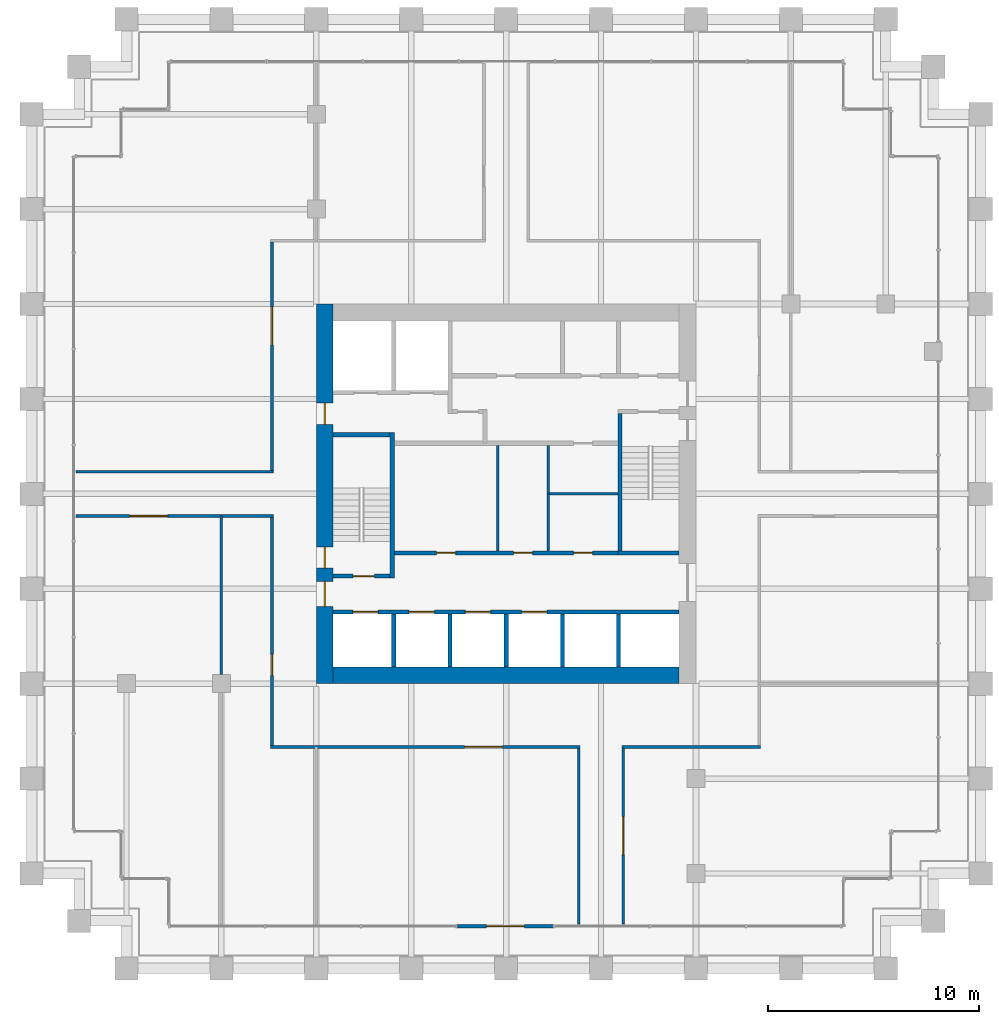
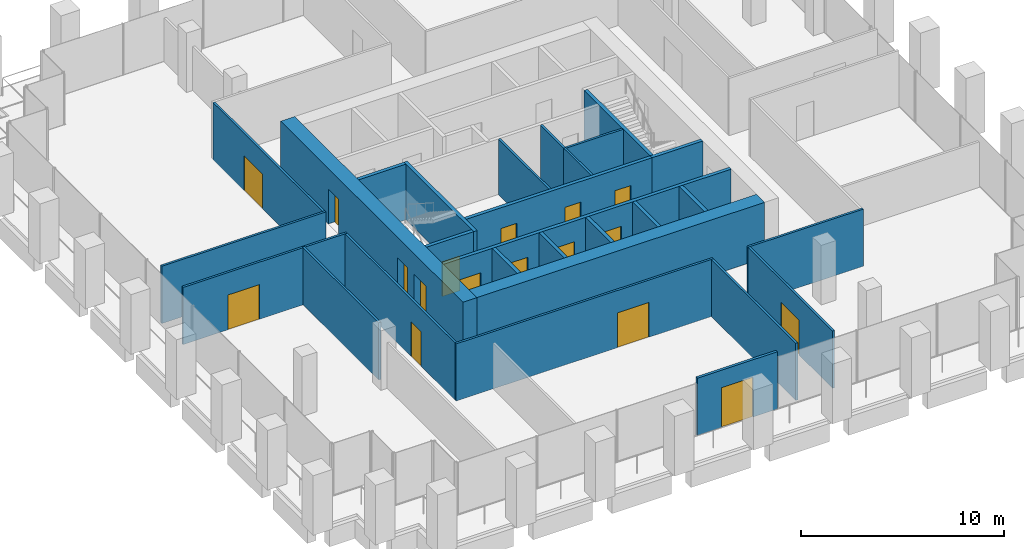
# One storey, part 50 of 54: 28 walls, 17 doors, 17 openings.
"""IFC4 building model written with IfcOpenShell, lengths in metres."""

import ifcopenshell
import ifcopenshell.guid

model = None  # the IFC model being written
_history = None  # IfcOwnerHistory: only IFC2X3 demands one
_inside = {}  # id of a spatial element -> (the spatial element, [elements in it])
_under = {}  # id of a project, library or spatial element -> (it, [spatial elements below it])
_declared = {}  # id of a project -> (the project, [libraries it declares])
_typed = {}  # id of a type object -> (the type object, [elements of that type])
_made_of = {}  # id of a material, layer set ... -> (it, [elements and type objects made of it])


def new_model(schema):
    """Start an empty IFC model of exactly this schema.

    Asked for "IFC4X3", IfcOpenShell would pick the latest addendum, in which some entities
    have other attributes; the version numbers below select the first issue.
    IFC2X3 requires an IfcOwnerHistory on every rooted entity: one is made here for all.
    """
    global model, _history
    if schema == "IFC4X3":
        model = ifcopenshell.file(schema_version=(4, 3, 0, 0))
    else:
        model = ifcopenshell.file(schema=schema)
    _inside.clear()
    _under.clear()
    _declared.clear()
    _typed.clear()
    _made_of.clear()
    _history = None
    if model.schema == "IFC2X3":
        org = make("IfcOrganization", Name="unknown")
        user = make(
            "IfcPersonAndOrganization",
            ThePerson=make("IfcPerson", FamilyName="unknown"),
            TheOrganization=org,
        )
        app = make(
            "IfcApplication",
            ApplicationDeveloper=org,
            Version="unknown",
            ApplicationFullName="unknown",
            ApplicationIdentifier="unknown",
        )
        _history = make(
            "IfcOwnerHistory",
            OwningUser=user,
            OwningApplication=app,
            ChangeAction="ADDED",
            CreationDate=0,
        )
    return model


def make(cls, **values):
    """One entity of the class cls with the attributes given. An attribute that is None is left unset."""
    return model.create_entity(
        cls, **{name: value for name, value in values.items() if value is not None}
    )


def rooted(cls, **values):
    """An entity with a GlobalId (a new one), such as an element, a storey or a relation."""
    return make(cls, GlobalId=ifcopenshell.guid.new(), OwnerHistory=_history, **values)


def si_unit(unit_type, name, prefix=None):
    """IfcSIUnit, for example si_unit("LENGTHUNIT", "METRE", prefix="MILLI")."""
    return make("IfcSIUnit", UnitType=unit_type, Prefix=prefix, Name=name)


def assignment(units):
    """IfcUnitAssignment: the units of a project."""
    return None if units is None else make("IfcUnitAssignment", Units=units)


def point(xyz):
    """IfcCartesianPoint."""
    return None if xyz is None else make("IfcCartesianPoint", Coordinates=xyz)


def direction(xyz):
    """IfcDirection."""
    return None if xyz is None else make("IfcDirection", DirectionRatios=xyz)


def frame(location, z_axis=None, x_axis=None):
    """IfcAxis2Placement3D, a coordinate frame: its origin and axes. An axis left out is left unset."""
    return make(
        "IfcAxis2Placement3D",
        Location=point(location),
        Axis=direction(z_axis),
        RefDirection=direction(x_axis),
    )


def frame_2d(location, x_axis=None):
    """IfcAxis2Placement2D, a coordinate frame in the plane: its origin and x axis."""
    return make(
        "IfcAxis2Placement2D", Location=point(location), RefDirection=direction(x_axis)
    )


def origin():
    """The frame at (0, 0, 0) with its axes left unset."""
    return frame((0.0, 0.0, 0.0))


def place(relative_to, where):
    """IfcLocalPlacement: puts the frame where relative to a parent placement (None: the world)."""
    return make(
        "IfcLocalPlacement", PlacementRelTo=relative_to, RelativePlacement=where
    )


def context(
    kind, dimensions, precision=None, world=None, true_north=None, identifier=None
):
    """IfcGeometricRepresentationContext, for example the 3D "Model" context."""
    return make(
        "IfcGeometricRepresentationContext",
        ContextIdentifier=identifier,
        ContextType=kind,
        CoordinateSpaceDimension=dimensions,
        Precision=precision,
        WorldCoordinateSystem=world,
        TrueNorth=true_north,
    )


def subcontext(parent, identifier, kind, view, scale=None):
    """IfcGeometricRepresentationSubContext, for example "Body" below "Model"."""
    return make(
        "IfcGeometricRepresentationSubContext",
        ContextIdentifier=identifier,
        ContextType=kind,
        ParentContext=parent,
        TargetScale=scale,
        TargetView=view,
    )


def project(units=None, contexts=None):
    """IfcProject with its units and contexts."""
    return rooted(
        "IfcProject",
        Name="project",
        RepresentationContexts=contexts,
        UnitsInContext=assignment(units),
    )


def spatial(cls, under=None, at=None, **own):
    """A site, building, storey or space (cls), placed at a placement, below another one or the project."""
    s = rooted(cls, ObjectPlacement=at, **own)
    if under is not None:
        _under.setdefault(under.id(), (under, []))[1].append(s)
    return s


def profile(cls, at=None, kind="AREA", **sizes):
    """A parametric profile (cls). Its sizes go by their IFC names, for example OverallWidth=200.0."""
    return make(cls, ProfileType=kind, Position=at, **sizes)


def rectangle(**sizes):
    """IfcRectangleProfileDef."""
    return profile("IfcRectangleProfileDef", **sizes)


def extrude(swept, where, along, depth):
    """IfcExtrudedAreaSolid: the profile swept, set in the frame where, extruded along a direction by depth."""
    return make(
        "IfcExtrudedAreaSolid",
        SweptArea=swept,
        Position=where,
        ExtrudedDirection=direction(along),
        Depth=depth,
    )


def shape(context_of_items, identifier, shape_type, items):
    """IfcShapeRepresentation: the items that make up one representation, for example the "Body"."""
    return make(
        "IfcShapeRepresentation",
        ContextOfItems=context_of_items,
        RepresentationIdentifier=identifier,
        RepresentationType=shape_type,
        Items=items,
    )


def material(Name=None, Category=None):
    """IfcMaterial."""
    return make("IfcMaterial", Name=Name, Category=Category)


def layer(
    of_material, thickness, ventilated=None, Name=None, Category=None, Priority=None
):
    """IfcMaterialLayer: one layer of a wall or slab, of a material (None: an air gap)."""
    return make(
        "IfcMaterialLayer",
        Material=of_material,
        LayerThickness=thickness,
        IsVentilated=ventilated,
        Name=Name,
        Category=Category,
        Priority=Priority,
    )


def layer_set(layers, Name=None):
    """IfcMaterialLayerSet."""
    return make("IfcMaterialLayerSet", MaterialLayers=layers, LayerSetName=Name)


def made_of(thing, what):
    """Note that an element or type object is made of a material, layer set ...; save() writes the relation."""
    if what is not None:
        _made_of.setdefault(what.id(), (what, []))[1].append(thing)
    return thing


def type_object(cls, material=None, **own):
    """A type object (cls), such as IfcWallType, which elements share."""
    return made_of(rooted(cls, **own), material)


def element(
    cls,
    number,
    at=None,
    inside=None,
    cuts=None,
    type_object=None,
    material=None,
    context=None,
    identifier="Body",
    shape_type=None,
    held_by="IfcProductDefinitionShape",
    body=None,
    shapes=None,
    **own,
):
    """One element of the class cls, such as IfcWall. Its Tag is "e" and its number.

    at: its placement. inside: the storey or other place that contains it. cuts: it is an
    opening in that element (IfcRelVoidsElement). A single representation is given by context,
    identifier, shape_type and body (its items); several are given by shapes. held_by: the class
    of the entity that holds the representations. save() writes the other relations.
    """
    e = rooted(cls, Tag="e%d" % number, ObjectPlacement=at, **own)
    if body is not None:
        shapes = [shape(context, identifier, shape_type, body)]
    if shapes is not None:
        e.Representation = make(held_by, Representations=shapes)
    if inside is not None:
        _inside.setdefault(inside.id(), (inside, []))[1].append(e)
    if cuts is not None:
        rooted(
            "IfcRelVoidsElement", RelatingBuildingElement=cuts, RelatedOpeningElement=e
        )
    if type_object is not None:
        _typed.setdefault(type_object.id(), (type_object, []))[1].append(e)
    return made_of(e, material)


def fill(opening, filler):
    """IfcRelFillsElement: the door or window that sits in an opening."""
    return rooted(
        "IfcRelFillsElement",
        RelatingOpeningElement=opening,
        RelatedBuildingElement=filler,
    )


def aggregate(whole, parts):
    """IfcRelAggregates: a whole, such as a stair, and the parts it consists of."""
    return rooted("IfcRelAggregates", RelatingObject=whole, RelatedObjects=parts)


def save(model, path):
    """Write the relations noted so far, then the file.

    IfcRelAggregates (storeys below a building ...), IfcRelContainedInSpatialStructure (elements
    in a storey), IfcRelDefinesByType, IfcRelAssociatesMaterial and IfcRelDeclares: one each for
    every whole, place, type object, material and project.
    """
    for whole, parts in _under.values():
        aggregate(whole, parts)
    for where, things in _inside.values():
        rooted(
            "IfcRelContainedInSpatialStructure",
            RelatedElements=things,
            RelatingStructure=where,
        )
    for kind, things in _typed.values():
        rooted("IfcRelDefinesByType", RelatedObjects=things, RelatingType=kind)
    for what, things in _made_of.values():
        rooted("IfcRelAssociatesMaterial", RelatedObjects=things, RelatingMaterial=what)
    for by, libraries in _declared.values():
        rooted("IfcRelDeclares", RelatingContext=by, RelatedDefinitions=libraries)
    model.write(path)


model = new_model("IFC4")

# Units and contexts
model_context = context("Model", 3, precision=1e-05, world=origin(), true_north=direction((0.0, 1.0)))
body_context = subcontext(model_context, "Body", "Model", "MODEL_VIEW")
ifc_project = project(units=[si_unit("LENGTHUNIT", "METRE"), si_unit("AREAUNIT", "SQUARE_METRE"), si_unit("VOLUMEUNIT", "CUBIC_METRE"), si_unit("PLANEANGLEUNIT", "RADIAN"), si_unit("MASSUNIT", "GRAM", prefix="KILO")], contexts=[model_context])

# Site, building, storey
site_placement = place(None, origin())
site = spatial("IfcSite", under=ifc_project, at=site_placement, CompositionType="ELEMENT")
building_placement = place(site_placement, origin())
building = spatial("IfcBuilding", under=site, at=building_placement, Name="Altepetl Exchange Towers", CompositionType="ELEMENT")
storey_placement = place(building_placement, frame((0.0, 0.0, 65.39990234375)))
storey = spatial("IfcBuildingStorey", under=building, at=storey_placement, Name="L15", CompositionType="ELEMENT", Elevation=65.39990234375)

# Wall
ifc_material_1 = material(Name="Concrete C70/85", Category="concrete")
ifc_layer_1 = layer(ifc_material_1, 0.800048828125)
ifc_layer_set_1 = layer_set([ifc_layer_1], Name="Concrete C70/85")
wall_type_1 = type_object("IfcWallType", Name="Core wall 800 reinforced concrete", PredefinedType="SHEAR", material=ifc_layer_set_1)
wall_1_placement = place(storey_placement, frame((41.300048828125, 40.89990234375, 0.0)))
element("IfcWall", 1, at=wall_1_placement, inside=storey, type_object=wall_type_1, Name="wall:A:L15:K-coreS", PredefinedType="SHEAR", context=body_context, shape_type="SweptSolid", body=[
    extrude(rectangle(XDim=16.39990234375, YDim=0.800048828125, at=frame_2d((8.199951171875, 0.0))), origin(), (0.0, 0.0, 1.0), 3.35009765625),
])

# Wall, openings, doors
wall_2_placement = place(storey_placement, frame((40.89990234375, 40.5, 0.0), z_axis=(0.0, 0.0, 1.0), x_axis=(0.0, 1.0, 0.0)))
wall_2 = element("IfcWall", 2, at=wall_2_placement, inside=storey, type_object=wall_type_1, Name="wall:A:L15:K-coreW", PredefinedType="SHEAR", context=body_context, shape_type="SweptSolid", body=[
    extrude(rectangle(XDim=18.0, YDim=0.800048828125, at=frame_2d((9.0, 0.0))), origin(), (0.0, 0.0, 1.0), 3.35009765625),
])
opening_1_placement = place(wall_2_placement, frame((3.64990234375, 0.0, 0.0)))
opening_1 = element("IfcOpeningElement", 3, at=opening_1_placement, cuts=wall_2, Name="Opening L15.A62", PredefinedType="OPENING", context=body_context, shape_type="SweptSolid", body=[
    extrude(rectangle(XDim=1.199951171875, YDim=2.10009765625, at=frame_2d((0.60009765625, 1.050048828125))), frame((0.0, 0.41015625, 0.0), z_axis=(0.0, -1.0, 0.0), x_axis=(1.0, 0.0, 0.0)), (0.0, 0.0, 1.0), 0.820068359375),
])
opening_2_placement = place(wall_2_placement, frame((5.47509765625, 0.0, 0.0)))
opening_2 = element("IfcOpeningElement", 4, at=opening_2_placement, cuts=wall_2, Name="Opening L15.A64", PredefinedType="OPENING", context=body_context, shape_type="SweptSolid", body=[
    extrude(rectangle(XDim=1.0, YDim=2.10009765625, at=frame_2d((0.5, 1.050048828125))), frame((0.0, 0.41015625, 0.0), z_axis=(0.0, -1.0, 0.0), x_axis=(1.0, 0.0, 0.0)), (0.0, 0.0, 1.0), 0.820068359375),
])
opening_3_placement = place(wall_2_placement, frame((12.300048828125, 0.0, 0.0)))
opening_3 = element("IfcOpeningElement", 5, at=opening_3_placement, cuts=wall_2, Name="Opening L15.A68", PredefinedType="OPENING", context=body_context, shape_type="SweptSolid", body=[
    extrude(rectangle(XDim=1.0, YDim=2.10009765625, at=frame_2d((0.5, 1.050048828125))), frame((0.0, 0.41015625, 0.0), z_axis=(0.0, -1.0, 0.0), x_axis=(1.0, 0.0, 0.0)), (0.0, 0.0, 1.0), 0.820068359375),
])
ifc_material_2 = material(Name="Steel and timber fire door", Category="steel")
door_type_1 = type_object("IfcDoorType", Name="Fire door 1000 x 2100 stair and lobby", OperationType="SINGLE_SWING_LEFT", PredefinedType="DOOR", material=ifc_material_2)
door_1_placement = place(opening_2_placement, frame((1.0, 0.0, 0.0), x_axis=(-1.0, 0.0, 0.0)))
door_1 = element("IfcDoor", 6, at=door_1_placement, inside=storey, type_object=door_type_1, Name="door:A:L15:K-dS1x", OperationType="SINGLE_SWING_RIGHT", OverallHeight=2.10009765625, OverallWidth=1.0, PredefinedType="DOOR", context=body_context, shape_type="SweptSolid", body=[
    extrude(rectangle(XDim=1.0, YDim=2.10009765625, at=frame_2d((0.5, 1.050048828125))), frame((0.0, 0.02490234375, 0.0), z_axis=(0.0, -1.0, 0.0), x_axis=(1.0, 0.0, 0.0)), (0.0, 0.0, 1.0), 0.050048828125),
])
fill(opening_2, door_1)
door_2_placement = place(opening_3_placement, frame((1.0, 0.0, 0.0), x_axis=(-1.0, 0.0, 0.0)))
door_2 = element("IfcDoor", 7, at=door_2_placement, inside=storey, type_object=door_type_1, Name="door:A:L15:K-dffW", OperationType="SINGLE_SWING_LEFT", OverallHeight=2.10009765625, OverallWidth=1.0, PredefinedType="DOOR", context=body_context, shape_type="SweptSolid", body=[
    extrude(rectangle(XDim=1.0, YDim=2.10009765625, at=frame_2d((0.5, 1.050048828125))), frame((0.0, 0.02490234375, 0.0), z_axis=(0.0, -1.0, 0.0), x_axis=(1.0, 0.0, 0.0)), (0.0, 0.0, 1.0), 0.050048828125),
])
fill(opening_3, door_2)
door_type_2 = type_object("IfcDoorType", Name="Fire door 1200 x 2100 lobby entry", OperationType="SINGLE_SWING_LEFT", PredefinedType="DOOR", material=ifc_material_2)
door_3_placement = place(opening_1_placement, frame((1.199951171875, 0.0, 0.0), x_axis=(-1.0, 0.0, 0.0)))
door_3 = element("IfcDoor", 8, at=door_3_placement, inside=storey, type_object=door_type_2, Name="door:A:L15:K-dLSW", OperationType="SINGLE_SWING_LEFT", OverallHeight=2.10009765625, OverallWidth=1.199951171875, PredefinedType="DOOR", context=body_context, shape_type="SweptSolid", body=[
    extrude(rectangle(XDim=1.199951171875, YDim=2.10009765625, at=frame_2d((0.60009765625, 1.050048828125))), frame((0.0, 0.02490234375, 0.0), z_axis=(0.0, -1.0, 0.0), x_axis=(1.0, 0.0, 0.0)), (0.0, 0.0, 1.0), 0.050048828125),
])
fill(opening_1, door_3)

# Wall, opening, door
ifc_material_3 = material(Name="Aluminium composite cladding", Category="aluminium")
ifc_layer_2 = layer(ifc_material_3, 0.14990234375)
ifc_layer_set_2 = layer_set([ifc_layer_2], Name="Aluminium composite cladding")
wall_type_2 = type_object("IfcWallType", Name="Infill wall 150 aluminium panel", PredefinedType="SOLIDWALL", material=ifc_layer_set_2)
wall_3_placement = place(storey_placement, frame((47.18212890625, 29.0, 0.0)))
wall_3 = element("IfcWall", 9, at=wall_3_placement, inside=storey, type_object=wall_type_2, Name="Loggia door bay wall", PredefinedType="SOLIDWALL", context=body_context, shape_type="SweptSolid", body=[
    extrude(rectangle(XDim=4.560791015625, YDim=0.14990234375, at=frame_2d((2.2802734375, 0.0))), origin(), (0.0, 0.0, 1.0), 3.4501953125),
])
opening_4_placement = place(wall_3_placement, frame((1.38037109375, 0.0, 0.0)))
opening_4 = element("IfcOpeningElement", 10, at=opening_4_placement, cuts=wall_3, Name="Opening L15.A90", PredefinedType="OPENING", context=body_context, shape_type="SweptSolid", body=[
    extrude(rectangle(XDim=1.800048828125, YDim=2.39990234375, at=frame_2d((0.89990234375, 1.199951171875))), frame((0.0, 0.0849609375, 0.0), z_axis=(0.0, -1.0, 0.0), x_axis=(1.0, 0.0, 0.0)), (0.0, 0.0, 1.0), 0.169921875),
])
ifc_material_4 = material(Name="Aluminium 6063-T6 and glass", Category="aluminium")
door_type_3 = type_object("IfcDoorType", Name="Glazed door pair 1800x2400", OperationType="DOUBLE_DOOR_DOUBLE_SWING", PredefinedType="NOTDEFINED", material=ifc_material_4)
door_4_placement = place(opening_4_placement, frame((1.800048828125, 0.0, 0.0), x_axis=(-1.0, 0.0, 0.0)))
door_4 = element("IfcDoor", 11, at=door_4_placement, inside=storey, type_object=door_type_3, Name="Loggia door", OperationType="DOUBLE_DOOR_DOUBLE_SWING", OverallHeight=2.39990234375, OverallWidth=1.800048828125, PredefinedType="NOTDEFINED", context=body_context, shape_type="SweptSolid", body=[
    extrude(rectangle(XDim=1.800048828125, YDim=2.39990234375, at=frame_2d((0.89990234375, 1.199951171875))), frame((0.0, 0.02490234375, 0.0), z_axis=(0.0, -1.0, 0.0), x_axis=(1.0, 0.0, 0.0)), (0.0, 0.0, 1.0), 0.050048828125),
])
fill(opening_4, door_4)

# Wall, openings, doors
ifc_material_5 = material(Name="Concrete blockwork", Category="masonry")
ifc_layer_3 = layer(ifc_material_5, 0.199951171875)
ifc_layer_set_3 = layer_set([ifc_layer_3], Name="Concrete blockwork")
wall_type_3 = type_object("IfcWallType", Name="Lobby wall 200 blockwork", PredefinedType="PARTITIONING", material=ifc_layer_set_3)
wall_4_placement = place(storey_placement, frame((44.199951171875, 46.699951171875, 0.0)))
wall_4 = element("IfcWall", 12, at=wall_4_placement, inside=storey, type_object=wall_type_3, Name="wall:A:L15:K-zoneS", PredefinedType="PARTITIONING", context=body_context, shape_type="SweptSolid", body=[
    extrude(rectangle(XDim=10.60009765625, YDim=0.199951171875, at=frame_2d((5.300048828125, 0.0))), origin(), (0.0, 0.0, 1.0), 3.35009765625),
])
opening_5_placement = place(wall_4_placement, frame((2.0, 0.0, 0.0)))
opening_5 = element("IfcOpeningElement", 13, at=opening_5_placement, cuts=wall_4, Name="Opening L15.A72", PredefinedType="OPENING", context=body_context, shape_type="SweptSolid", body=[
    extrude(rectangle(XDim=0.89990234375, YDim=2.10009765625, at=frame_2d((0.449951171875, 1.050048828125))), frame((0.0, 0.10986328125, 0.0), z_axis=(0.0, -1.0, 0.0), x_axis=(1.0, 0.0, 0.0)), (0.0, 0.0, 1.0), 0.219970703125),
])
opening_6_placement = place(wall_4_placement, frame((5.64990234375, 0.0, 0.0)))
opening_6 = element("IfcOpeningElement", 14, at=opening_6_placement, cuts=wall_4, Name="Opening L15.A73", PredefinedType="OPENING", context=body_context, shape_type="SweptSolid", body=[
    extrude(rectangle(XDim=0.89990234375, YDim=2.10009765625, at=frame_2d((0.449951171875, 1.050048828125))), frame((0.0, 0.10986328125, 0.0), z_axis=(0.0, -1.0, 0.0), x_axis=(1.0, 0.0, 0.0)), (0.0, 0.0, 1.0), 0.219970703125),
])
opening_7_placement = place(wall_4_placement, frame((8.5, 0.0, 0.0)))
opening_7 = element("IfcOpeningElement", 15, at=opening_7_placement, cuts=wall_4, Name="Opening L15.A75", PredefinedType="OPENING", context=body_context, shape_type="SweptSolid", body=[
    extrude(rectangle(XDim=0.89990234375, YDim=2.10009765625, at=frame_2d((0.449951171875, 1.050048828125))), frame((0.0, 0.10986328125, 0.0), z_axis=(0.0, -1.0, 0.0), x_axis=(1.0, 0.0, 0.0)), (0.0, 0.0, 1.0), 0.219970703125),
])
door_type_4 = type_object("IfcDoorType", Name="Fire door 900 x 2100 service room", OperationType="SINGLE_SWING_LEFT", PredefinedType="DOOR", material=ifc_material_2)
door_5_placement = place(opening_5_placement, origin())
door_5 = element("IfcDoor", 16, at=door_5_placement, inside=storey, type_object=door_type_4, Name="door:A:L15:K-dz1", OperationType="SINGLE_SWING_LEFT", OverallHeight=2.10009765625, OverallWidth=0.89990234375, PredefinedType="DOOR", context=body_context, shape_type="SweptSolid", body=[
    extrude(rectangle(XDim=0.89990234375, YDim=2.10009765625, at=frame_2d((0.449951171875, 1.050048828125))), frame((0.0, 0.02490234375, 0.0), z_axis=(0.0, -1.0, 0.0), x_axis=(1.0, 0.0, 0.0)), (0.0, 0.0, 1.0), 0.050048828125),
])
fill(opening_5, door_5)
door_6_placement = place(opening_6_placement, origin())
door_6 = element("IfcDoor", 17, at=door_6_placement, inside=storey, type_object=door_type_4, Name="door:A:L15:K-dz2", OperationType="SINGLE_SWING_RIGHT", OverallHeight=2.10009765625, OverallWidth=0.89990234375, PredefinedType="DOOR", context=body_context, shape_type="SweptSolid", body=[
    extrude(rectangle(XDim=0.89990234375, YDim=2.10009765625, at=frame_2d((0.449951171875, 1.050048828125))), frame((0.0, 0.02490234375, 0.0), z_axis=(0.0, -1.0, 0.0), x_axis=(1.0, 0.0, 0.0)), (0.0, 0.0, 1.0), 0.050048828125),
])
fill(opening_6, door_6)
door_7_placement = place(opening_7_placement, origin())
door_7 = element("IfcDoor", 18, at=door_7_placement, inside=storey, type_object=door_type_4, Name="door:A:L15:K-dz4", OperationType="SINGLE_SWING_RIGHT", OverallHeight=2.10009765625, OverallWidth=0.89990234375, PredefinedType="DOOR", context=body_context, shape_type="SweptSolid", body=[
    extrude(rectangle(XDim=0.89990234375, YDim=2.10009765625, at=frame_2d((0.449951171875, 1.050048828125))), frame((0.0, 0.02490234375, 0.0), z_axis=(0.0, -1.0, 0.0), x_axis=(1.0, 0.0, 0.0)), (0.0, 0.0, 1.0), 0.050048828125),
])
fill(opening_7, door_7)

# Walls
ifc_material_6 = material(Name="Gypsum board on steel studs", Category="steel")
ifc_layer_4 = layer(ifc_material_6, 0.125)
ifc_layer_set_4 = layer_set([ifc_layer_4], Name="Gypsum board on steel studs")
wall_type_4 = type_object("IfcWallType", Name="Partition 125 gypsum board on steel studs", PredefinedType="PARTITIONING", material=ifc_layer_set_4)
wall_5_placement = place(storey_placement, frame((49.10009765625, 46.800048828125, 0.0), z_axis=(0.0, 0.0, 1.0), x_axis=(0.0, 1.0, 0.0)))
element("IfcWall", 19, at=wall_5_placement, inside=storey, type_object=wall_type_4, Name="wall:A:L15:K-zp1", PredefinedType="PARTITIONING", context=body_context, shape_type="SweptSolid", body=[
    extrude(rectangle(XDim=5.0, YDim=0.125, at=frame_2d((2.5, 0.0))), origin(), (0.0, 0.0, 1.0), 3.35009765625),
])
wall_6_placement = place(storey_placement, frame((51.5, 46.800048828125, 0.0), z_axis=(0.0, 0.0, 1.0), x_axis=(0.0, 1.0, 0.0)))
element("IfcWall", 20, at=wall_6_placement, inside=storey, type_object=wall_type_4, Name="wall:A:L15:K-zp2", PredefinedType="PARTITIONING", context=body_context, shape_type="SweptSolid", body=[
    extrude(rectangle(XDim=2.762451171875, YDim=0.125, at=frame_2d((1.38134765625, 0.0))), origin(), (0.0, 0.0, 1.0), 3.35009765625),
])
wall_7_placement = place(storey_placement, frame((51.5625, 49.5, 0.0)))
element("IfcWall", 21, at=wall_7_placement, inside=storey, type_object=wall_type_4, Name="wall:A:L15:K-zp3", PredefinedType="PARTITIONING", context=body_context, shape_type="SweptSolid", body=[
    extrude(rectangle(XDim=3.237548828125, YDim=0.125, at=frame_2d((1.61865234375, 0.0))), origin(), (0.0, 0.0, 1.0), 3.35009765625),
])
wall_8_placement = place(storey_placement, frame((51.5, 49.5, 0.0), z_axis=(0.0, 0.0, 1.0), x_axis=(0.0, 1.0, 0.0)))
element("IfcWall", 22, at=wall_8_placement, inside=storey, type_object=wall_type_4, Name="wall:A:L15:K-zp4", PredefinedType="PARTITIONING", context=body_context, shape_type="SweptSolid", body=[
    extrude(rectangle(XDim=2.300048828125, YDim=0.125, at=frame_2d((1.14990234375, 0.0))), origin(), (0.0, 0.0, 1.0), 3.35009765625),
])

# Wall, opening, door
wall_9_placement = place(storey_placement, frame((38.33740234375, 37.5, 0.0)))
wall_9 = element("IfcWall", 23, at=wall_9_placement, inside=storey, type_object=wall_type_4, Name="wall:A:L15:P01", PredefinedType="PARTITIONING", context=body_context, shape_type="SweptSolid", body=[
    extrude(rectangle(XDim=14.675048828125, YDim=0.125, at=frame_2d((7.33740234375, 0.0))), origin(), (0.0, 0.0, 1.0), 3.4501953125),
])
opening_8_placement = place(wall_9_placement, frame((9.193603515625, 0.0, 0.0)))
opening_8 = element("IfcOpeningElement", 24, at=opening_8_placement, cuts=wall_9, Name="Opening L15.A03", PredefinedType="OPENING", context=body_context, shape_type="SweptSolid", body=[
    extrude(rectangle(XDim=1.800048828125, YDim=2.10009765625, at=frame_2d((0.89990234375, 1.050048828125))), frame((0.0, 0.072509765625, 0.0), z_axis=(0.0, -1.0, 0.0), x_axis=(1.0, 0.0, 0.0)), (0.0, 0.0, 1.0), 0.14501953125),
])
door_type_5 = type_object("IfcDoorType", Name="Fire door 1800 x 2100 double leaf", OperationType="DOUBLE_DOOR_SINGLE_SWING", PredefinedType="DOOR", material=ifc_material_2)
door_8_placement = place(opening_8_placement, frame((1.800048828125, 0.0, 0.0), x_axis=(-1.0, 0.0, 0.0)))
door_8 = element("IfcDoor", 25, at=door_8_placement, inside=storey, type_object=door_type_5, Name="door:A:L15:03", OperationType="DOUBLE_DOOR_SINGLE_SWING", OverallHeight=2.10009765625, OverallWidth=1.800048828125, PredefinedType="DOOR", context=body_context, shape_type="SweptSolid", body=[
    extrude(rectangle(XDim=1.800048828125, YDim=2.10009765625, at=frame_2d((0.89990234375, 1.050048828125))), frame((0.0, 0.02490234375, 0.0), z_axis=(0.0, -1.0, 0.0), x_axis=(1.0, 0.0, 0.0)), (0.0, 0.0, 1.0), 0.050048828125),
])
fill(opening_8, door_8)

# Wall
wall_10_placement = place(storey_placement, frame((54.987548828125, 37.5, 0.0)))
element("IfcWall", 26, at=wall_10_placement, inside=storey, type_object=wall_type_4, Name="wall:A:L15:P02", PredefinedType="PARTITIONING", context=body_context, shape_type="SweptSolid", body=[
    extrude(rectangle(XDim=6.574951171875, YDim=0.125, at=frame_2d((3.28759765625, 0.0))), origin(), (0.0, 0.0, 1.0), 3.4501953125),
])

# Wall, opening, door
wall_11_placement = place(storey_placement, frame((29.10009765625, 48.449951171875, 0.0)))
wall_11 = element("IfcWall", 27, at=wall_11_placement, inside=storey, type_object=wall_type_4, Name="wall:A:L15:P04", PredefinedType="PARTITIONING", context=body_context, shape_type="SweptSolid", body=[
    extrude(rectangle(XDim=9.3623046875, YDim=0.125, at=frame_2d((4.68115234375, 0.0))), origin(), (0.0, 0.0, 1.0), 3.4501953125),
])
opening_9_placement = place(wall_11_placement, frame((2.550048828125, 0.0, 0.0)))
opening_9 = element("IfcOpeningElement", 28, at=opening_9_placement, cuts=wall_11, Name="Opening L15.A01", PredefinedType="OPENING", context=body_context, shape_type="SweptSolid", body=[
    extrude(rectangle(XDim=1.800048828125, YDim=2.10009765625, at=frame_2d((0.89990234375, 1.050048828125))), frame((0.0, 0.072509765625, 0.0), z_axis=(0.0, -1.0, 0.0), x_axis=(1.0, 0.0, 0.0)), (0.0, 0.0, 1.0), 0.14501953125),
])
door_9_placement = place(opening_9_placement, frame((1.800048828125, 0.0, 0.0), x_axis=(-1.0, 0.0, 0.0)))
door_9 = element("IfcDoor", 29, at=door_9_placement, inside=storey, type_object=door_type_5, Name="door:A:L15:01", OperationType="DOUBLE_DOOR_SINGLE_SWING", OverallHeight=2.10009765625, OverallWidth=1.800048828125, PredefinedType="DOOR", context=body_context, shape_type="SweptSolid", body=[
    extrude(rectangle(XDim=1.800048828125, YDim=2.10009765625, at=frame_2d((0.89990234375, 1.050048828125))), frame((0.0, 0.02490234375, 0.0), z_axis=(0.0, -1.0, 0.0), x_axis=(1.0, 0.0, 0.0)), (0.0, 0.0, 1.0), 0.050048828125),
])
fill(opening_9, door_9)

# Walls
wall_12_placement = place(storey_placement, frame((29.10009765625, 50.550048828125, 0.0)))
element("IfcWall", 30, at=wall_12_placement, inside=storey, type_object=wall_type_4, Name="wall:A:L15:P06", PredefinedType="PARTITIONING", context=body_context, shape_type="SweptSolid", body=[
    extrude(rectangle(XDim=9.3623046875, YDim=0.125, at=frame_2d((4.68115234375, 0.0))), origin(), (0.0, 0.0, 1.0), 3.4501953125),
])
wall_13_placement = place(storey_placement, frame((36.0, 40.925048828125, 0.0), z_axis=(0.0, 0.0, 1.0), x_axis=(0.0, 1.0, 0.0)))
element("IfcWall", 31, at=wall_13_placement, inside=storey, type_object=wall_type_4, Name="wall:A:L15:P11", PredefinedType="PARTITIONING", context=body_context, shape_type="SweptSolid", body=[
    extrude(rectangle(XDim=7.52490234375, YDim=0.125, at=frame_2d((3.762451171875, 0.0))), origin(), (0.0, 0.0, 1.0), 3.4501953125),
])

# Wall, opening, door
wall_14_placement = place(storey_placement, frame((38.39990234375, 37.5625, 0.0), z_axis=(0.0, 0.0, 1.0), x_axis=(0.0, 1.0, 0.0)))
wall_14 = element("IfcWall", 32, at=wall_14_placement, inside=storey, type_object=wall_type_4, Name="wall:A:L15:P12", PredefinedType="PARTITIONING", context=body_context, shape_type="SweptSolid", body=[
    extrude(rectangle(XDim=10.824951171875, YDim=0.125, at=frame_2d((5.41259765625, 0.0))), origin(), (0.0, 0.0, 1.0), 3.4501953125),
])
opening_10_placement = place(wall_14_placement, frame((3.32861328125, 0.0, 0.0)))
opening_10 = element("IfcOpeningElement", 33, at=opening_10_placement, cuts=wall_14, Name="Opening L15.A02", PredefinedType="OPENING", context=body_context, shape_type="SweptSolid", body=[
    extrude(rectangle(XDim=1.0, YDim=2.10009765625, at=frame_2d((0.5, 1.050048828125))), frame((0.0, 0.072509765625, 0.0), z_axis=(0.0, -1.0, 0.0), x_axis=(1.0, 0.0, 0.0)), (0.0, 0.0, 1.0), 0.14501953125),
])
door_type_6 = type_object("IfcDoorType", Name="Fire door 1000 x 2100 single leaf", OperationType="SINGLE_SWING_LEFT", PredefinedType="DOOR", material=ifc_material_2)
door_10_placement = place(opening_10_placement, origin())
door_10 = element("IfcDoor", 34, at=door_10_placement, inside=storey, type_object=door_type_6, Name="door:A:L15:02", OperationType="SINGLE_SWING_RIGHT", OverallHeight=2.10009765625, OverallWidth=1.0, PredefinedType="DOOR", context=body_context, shape_type="SweptSolid", body=[
    extrude(rectangle(XDim=1.0, YDim=2.10009765625, at=frame_2d((0.5, 1.050048828125))), frame((0.0, 0.02490234375, 0.0), z_axis=(0.0, -1.0, 0.0), x_axis=(1.0, 0.0, 0.0)), (0.0, 0.0, 1.0), 0.050048828125),
])
fill(opening_10, door_10)

wall_15_placement = place(storey_placement, frame((38.39990234375, 50.612548828125, 0.0), z_axis=(0.0, 0.0, 1.0), x_axis=(0.0, 1.0, 0.0)))
wall_15 = element("IfcWall", 35, at=wall_15_placement, inside=storey, type_object=wall_type_4, Name="wall:A:L15:P13", PredefinedType="PARTITIONING", context=body_context, shape_type="SweptSolid", body=[
    extrude(rectangle(XDim=10.824951171875, YDim=0.125, at=frame_2d((5.41259765625, 0.0))), origin(), (0.0, 0.0, 1.0), 3.4501953125),
])
opening_11_placement = place(wall_15_placement, frame((5.95654296875, 0.0, 0.0)))
opening_11 = element("IfcOpeningElement", 36, at=opening_11_placement, cuts=wall_15, Name="Opening L15.A09", PredefinedType="OPENING", context=body_context, shape_type="SweptSolid", body=[
    extrude(rectangle(XDim=1.800048828125, YDim=2.10009765625, at=frame_2d((0.89990234375, 1.050048828125))), frame((0.0, 0.072509765625, 0.0), z_axis=(0.0, -1.0, 0.0), x_axis=(1.0, 0.0, 0.0)), (0.0, 0.0, 1.0), 0.14501953125),
])
door_11_placement = place(opening_11_placement, origin())
door_11 = element("IfcDoor", 37, at=door_11_placement, inside=storey, type_object=door_type_5, Name="door:A:L15:09", OperationType="DOUBLE_DOOR_SINGLE_SWING", OverallHeight=2.10009765625, OverallWidth=1.800048828125, PredefinedType="DOOR", context=body_context, shape_type="SweptSolid", body=[
    extrude(rectangle(XDim=1.800048828125, YDim=2.10009765625, at=frame_2d((0.89990234375, 1.050048828125))), frame((0.0, 0.02490234375, 0.0), z_axis=(0.0, -1.0, 0.0), x_axis=(1.0, 0.0, 0.0)), (0.0, 0.0, 1.0), 0.050048828125),
])
fill(opening_11, door_11)

# Wall
wall_16_placement = place(storey_placement, frame((52.949951171875, 29.10009765625, 0.0), z_axis=(0.0, 0.0, 1.0), x_axis=(0.0, 1.0, 0.0)))
element("IfcWall", 38, at=wall_16_placement, inside=storey, type_object=wall_type_4, Name="wall:A:L15:P20", PredefinedType="PARTITIONING", context=body_context, shape_type="SweptSolid", body=[
    extrude(rectangle(XDim=8.33740234375, YDim=0.125, at=frame_2d((4.168701171875, 0.0))), origin(), (0.0, 0.0, 1.0), 3.4501953125),
])

# Wall, opening, door
wall_17_placement = place(storey_placement, frame((55.050048828125, 29.10009765625, 0.0), z_axis=(0.0, 0.0, 1.0), x_axis=(0.0, 1.0, 0.0)))
wall_17 = element("IfcWall", 39, at=wall_17_placement, inside=storey, type_object=wall_type_4, Name="wall:A:L15:P21", PredefinedType="PARTITIONING", context=body_context, shape_type="SweptSolid", body=[
    extrude(rectangle(XDim=8.33740234375, YDim=0.125, at=frame_2d((4.168701171875, 0.0))), origin(), (0.0, 0.0, 1.0), 3.4501953125),
])
opening_12_placement = place(wall_17_placement, frame((3.300048828125, 0.0, 0.0)))
opening_12 = element("IfcOpeningElement", 40, at=opening_12_placement, cuts=wall_17, Name="Opening L15.A04", PredefinedType="OPENING", context=body_context, shape_type="SweptSolid", body=[
    extrude(rectangle(XDim=1.800048828125, YDim=2.10009765625, at=frame_2d((0.89990234375, 1.050048828125))), frame((0.0, 0.072509765625, 0.0), z_axis=(0.0, -1.0, 0.0), x_axis=(1.0, 0.0, 0.0)), (0.0, 0.0, 1.0), 0.14501953125),
])
door_12_placement = place(opening_12_placement, frame((1.800048828125, 0.0, 0.0), x_axis=(-1.0, 0.0, 0.0)))
door_12 = element("IfcDoor", 41, at=door_12_placement, inside=storey, type_object=door_type_5, Name="door:A:L15:04", OperationType="DOUBLE_DOOR_SINGLE_SWING", OverallHeight=2.10009765625, OverallWidth=1.800048828125, PredefinedType="DOOR", context=body_context, shape_type="SweptSolid", body=[
    extrude(rectangle(XDim=1.800048828125, YDim=2.10009765625, at=frame_2d((0.89990234375, 1.050048828125))), frame((0.0, 0.02490234375, 0.0), z_axis=(0.0, -1.0, 0.0), x_axis=(1.0, 0.0, 0.0)), (0.0, 0.0, 1.0), 0.050048828125),
])
fill(opening_12, door_12)

# Walls
ifc_material_7 = material(Name="Concrete C40/50", Category="concrete")
ifc_layer_5 = layer(ifc_material_7, 0.199951171875)
ifc_layer_set_5 = layer_set([ifc_layer_5], Name="Concrete C40/50")
wall_type_5 = type_object("IfcWallType", Name="Shaft wall 200 reinforced concrete", PredefinedType="SHEAR", material=ifc_layer_set_5)
for number, where, z_axis, x_axis, name in (
    (42, (44.166748046875, 41.300048828125, 0.0), (0.0, 0.0, 1.0), (0.0, 1.0, 0.0), "wall:A:L15:K-divS1"),
    (43, (46.833251953125, 41.300048828125, 0.0), (0.0, 0.0, 1.0), (0.0, 1.0, 0.0), "wall:A:L15:K-divS2"),
    (44, (49.5, 41.300048828125, 0.0), (0.0, 0.0, 1.0), (0.0, 1.0, 0.0), "wall:A:L15:K-divS3"),
    (45, (52.166748046875, 41.300048828125, 0.0), (0.0, 0.0, 1.0), (0.0, 1.0, 0.0), "wall:A:L15:K-divS4"),
    (46, (54.833251953125, 41.300048828125, 0.0), (0.0, 0.0, 1.0), (0.0, 1.0, 0.0), "wall:A:L15:K-divS5"),
):
    element("IfcWall", number, at=place(storey_placement, frame(where, z_axis=z_axis, x_axis=x_axis)), inside=storey, type_object=wall_type_5, Name=name, PredefinedType="SHEAR", context=body_context, shape_type="SweptSolid", body=[
        extrude(rectangle(XDim=2.5, YDim=0.199951171875, at=frame_2d((1.25, 0.0))), origin(), (0.0, 0.0, 1.0), 3.35009765625),
    ])

# Wall, openings, doors
wall_18_placement = place(storey_placement, frame((41.300048828125, 43.89990234375, 0.0)))
wall_18 = element("IfcWall", 47, at=wall_18_placement, inside=storey, type_object=wall_type_5, Name="wall:A:L15:K-frontS", PredefinedType="SHEAR", context=body_context, shape_type="SweptSolid", body=[
    extrude(rectangle(XDim=16.39990234375, YDim=0.199951171875, at=frame_2d((8.199951171875, 0.0))), origin(), (0.0, 0.0, 1.0), 3.35009765625),
])
opening_13_placement = place(wall_18_placement, frame((0.933349609375, 0.0, 0.0)))
opening_13 = element("IfcOpeningElement", 48, at=opening_13_placement, cuts=wall_18, Name="Opening L15.A78", PredefinedType="OPENING", context=body_context, shape_type="SweptSolid", body=[
    extrude(rectangle(XDim=1.199951171875, YDim=2.10009765625, at=frame_2d((0.60009765625, 1.050048828125))), frame((0.0, 0.10986328125, 0.0), z_axis=(0.0, -1.0, 0.0), x_axis=(1.0, 0.0, 0.0)), (0.0, 0.0, 1.0), 0.219970703125),
])
opening_14_placement = place(wall_18_placement, frame((3.60009765625, 0.0, 0.0)))
opening_14 = element("IfcOpeningElement", 49, at=opening_14_placement, cuts=wall_18, Name="Opening L15.A79", PredefinedType="OPENING", context=body_context, shape_type="SweptSolid", body=[
    extrude(rectangle(XDim=1.199951171875, YDim=2.10009765625, at=frame_2d((0.60009765625, 1.050048828125))), frame((0.0, 0.10986328125, 0.0), z_axis=(0.0, -1.0, 0.0), x_axis=(1.0, 0.0, 0.0)), (0.0, 0.0, 1.0), 0.219970703125),
])
opening_15_placement = place(wall_18_placement, frame((6.2666015625, 0.0, 0.0)))
opening_15 = element("IfcOpeningElement", 50, at=opening_15_placement, cuts=wall_18, Name="Opening L15.A80", PredefinedType="OPENING", context=body_context, shape_type="SweptSolid", body=[
    extrude(rectangle(XDim=1.199951171875, YDim=2.10009765625, at=frame_2d((0.60009765625, 1.050048828125))), frame((0.0, 0.10986328125, 0.0), z_axis=(0.0, -1.0, 0.0), x_axis=(1.0, 0.0, 0.0)), (0.0, 0.0, 1.0), 0.219970703125),
])
opening_16_placement = place(wall_18_placement, frame((8.933349609375, 0.0, 0.0)))
opening_16 = element("IfcOpeningElement", 51, at=opening_16_placement, cuts=wall_18, Name="Opening L15.A81", PredefinedType="OPENING", context=body_context, shape_type="SweptSolid", body=[
    extrude(rectangle(XDim=1.199951171875, YDim=2.10009765625, at=frame_2d((0.60009765625, 1.050048828125))), frame((0.0, 0.10986328125, 0.0), z_axis=(0.0, -1.0, 0.0), x_axis=(1.0, 0.0, 0.0)), (0.0, 0.0, 1.0), 0.219970703125),
])
ifc_material_8 = material(Name="Stainless steel", Category="steel")
door_type_7 = type_object("IfcDoorType", Name="Lift landing door 1200 x 2100", OperationType="SLIDING_TO_LEFT", PredefinedType="DOOR", material=ifc_material_8)
door_13_placement = place(opening_13_placement, origin())
door_13 = element("IfcDoor", 52, at=door_13_placement, inside=storey, type_object=door_type_7, Name="Landing door P1", OperationType="SLIDING_TO_LEFT", OverallHeight=2.10009765625, OverallWidth=1.199951171875, PredefinedType="DOOR", context=body_context, shape_type="SweptSolid", body=[
    extrude(rectangle(XDim=1.199951171875, YDim=2.10009765625, at=frame_2d((0.60009765625, 1.050048828125))), frame((0.0, 0.02490234375, 0.0), z_axis=(0.0, -1.0, 0.0), x_axis=(1.0, 0.0, 0.0)), (0.0, 0.0, 1.0), 0.050048828125),
])
fill(opening_13, door_13)
door_14_placement = place(opening_14_placement, origin())
door_14 = element("IfcDoor", 53, at=door_14_placement, inside=storey, type_object=door_type_7, Name="Landing door P2", OperationType="SLIDING_TO_LEFT", OverallHeight=2.10009765625, OverallWidth=1.199951171875, PredefinedType="DOOR", context=body_context, shape_type="SweptSolid", body=[
    extrude(rectangle(XDim=1.199951171875, YDim=2.10009765625, at=frame_2d((0.60009765625, 1.050048828125))), frame((0.0, 0.02490234375, 0.0), z_axis=(0.0, -1.0, 0.0), x_axis=(1.0, 0.0, 0.0)), (0.0, 0.0, 1.0), 0.050048828125),
])
fill(opening_14, door_14)
door_15_placement = place(opening_15_placement, origin())
door_15 = element("IfcDoor", 54, at=door_15_placement, inside=storey, type_object=door_type_7, Name="Landing door P3", OperationType="SLIDING_TO_LEFT", OverallHeight=2.10009765625, OverallWidth=1.199951171875, PredefinedType="DOOR", context=body_context, shape_type="SweptSolid", body=[
    extrude(rectangle(XDim=1.199951171875, YDim=2.10009765625, at=frame_2d((0.60009765625, 1.050048828125))), frame((0.0, 0.02490234375, 0.0), z_axis=(0.0, -1.0, 0.0), x_axis=(1.0, 0.0, 0.0)), (0.0, 0.0, 1.0), 0.050048828125),
])
fill(opening_15, door_15)
door_16_placement = place(opening_16_placement, origin())
door_16 = element("IfcDoor", 55, at=door_16_placement, inside=storey, type_object=door_type_7, Name="Landing door P4", OperationType="SLIDING_TO_LEFT", OverallHeight=2.10009765625, OverallWidth=1.199951171875, PredefinedType="DOOR", context=body_context, shape_type="SweptSolid", body=[
    extrude(rectangle(XDim=1.199951171875, YDim=2.10009765625, at=frame_2d((0.60009765625, 1.050048828125))), frame((0.0, 0.02490234375, 0.0), z_axis=(0.0, -1.0, 0.0), x_axis=(1.0, 0.0, 0.0)), (0.0, 0.0, 1.0), 0.050048828125),
])
fill(opening_16, door_16)

# Walls
ifc_layer_6 = layer(ifc_material_7, 0.199951171875)
ifc_layer_set_6 = layer_set([ifc_layer_6], Name="Concrete C40/50")
wall_type_6 = type_object("IfcWallType", Name="Stair wall 200 reinforced concrete", PredefinedType="SHEAR", material=ifc_layer_set_6)
wall_19_placement = place(storey_placement, frame((44.10009765625, 45.5, 0.0), z_axis=(0.0, 0.0, 1.0), x_axis=(0.0, 1.0, 0.0)))
element("IfcWall", 56, at=wall_19_placement, inside=storey, type_object=wall_type_6, Name="wall:A:L15:K-stS1E", PredefinedType="SHEAR", context=body_context, shape_type="SweptSolid", body=[
    extrude(rectangle(XDim=6.89990234375, YDim=0.199951171875, at=frame_2d((3.449951171875, 0.0))), origin(), (0.0, 0.0, 1.0), 3.35009765625),
])
wall_20_placement = place(storey_placement, frame((41.300048828125, 52.300048828125, 0.0)))
element("IfcWall", 57, at=wall_20_placement, inside=storey, type_object=wall_type_6, Name="wall:A:L15:K-stS1N", PredefinedType="SHEAR", context=body_context, shape_type="SweptSolid", body=[
    extrude(rectangle(XDim=2.699951171875, YDim=0.199951171875, at=frame_2d((1.35009765625, 0.0))), origin(), (0.0, 0.0, 1.0), 3.35009765625),
])

# Wall, opening, door
wall_21_placement = place(storey_placement, frame((41.300048828125, 45.60009765625, 0.0)))
wall_21 = element("IfcWall", 58, at=wall_21_placement, inside=storey, type_object=wall_type_6, Name="wall:A:L15:K-stS1S", PredefinedType="SHEAR", context=body_context, shape_type="SweptSolid", body=[
    extrude(rectangle(XDim=2.699951171875, YDim=0.199951171875, at=frame_2d((1.35009765625, 0.0))), origin(), (0.0, 0.0, 1.0), 3.35009765625),
])
opening_17_placement = place(wall_21_placement, frame((0.949951171875, 0.0, 0.0)))
opening_17 = element("IfcOpeningElement", 59, at=opening_17_placement, cuts=wall_21, Name="Opening L15.A63", PredefinedType="OPENING", context=body_context, shape_type="SweptSolid", body=[
    extrude(rectangle(XDim=1.0, YDim=2.10009765625, at=frame_2d((0.5, 1.050048828125))), frame((0.0, 0.10986328125, 0.0), z_axis=(0.0, -1.0, 0.0), x_axis=(1.0, 0.0, 0.0)), (0.0, 0.0, 1.0), 0.219970703125),
])
door_17_placement = place(opening_17_placement, origin())
door_17 = element("IfcDoor", 60, at=door_17_placement, inside=storey, type_object=door_type_1, Name="door:A:L15:K-dS1in", OperationType="SINGLE_SWING_RIGHT", OverallHeight=2.10009765625, OverallWidth=1.0, PredefinedType="DOOR", context=body_context, shape_type="SweptSolid", body=[
    extrude(rectangle(XDim=1.0, YDim=2.10009765625, at=frame_2d((0.5, 1.050048828125))), frame((0.0, 0.02490234375, 0.0), z_axis=(0.0, -1.0, 0.0), x_axis=(1.0, 0.0, 0.0)), (0.0, 0.0, 1.0), 0.050048828125),
])
fill(opening_17, door_17)

# Walls
wall_22_placement = place(storey_placement, frame((54.800048828125, 46.699951171875, 0.0)))
element("IfcWall", 61, at=wall_22_placement, inside=storey, type_object=wall_type_6, Name="wall:A:L15:K-stS2S", PredefinedType="SHEAR", context=body_context, shape_type="SweptSolid", body=[
    extrude(rectangle(XDim=2.89990234375, YDim=0.199951171875, at=frame_2d((1.449951171875, 0.0))), origin(), (0.0, 0.0, 1.0), 3.35009765625),
])
wall_23_placement = place(storey_placement, frame((54.89990234375, 46.800048828125, 0.0), z_axis=(0.0, 0.0, 1.0), x_axis=(0.0, 1.0, 0.0)))
element("IfcWall", 62, at=wall_23_placement, inside=storey, type_object=wall_type_6, Name="wall:A:L15:K-stS2W", PredefinedType="SHEAR", context=body_context, shape_type="SweptSolid", body=[
    extrude(rectangle(XDim=6.5, YDim=0.199951171875, at=frame_2d((3.25, 0.0))), origin(), (0.0, 0.0, 1.0), 3.35009765625),
])

save(model, "model.ifc")
